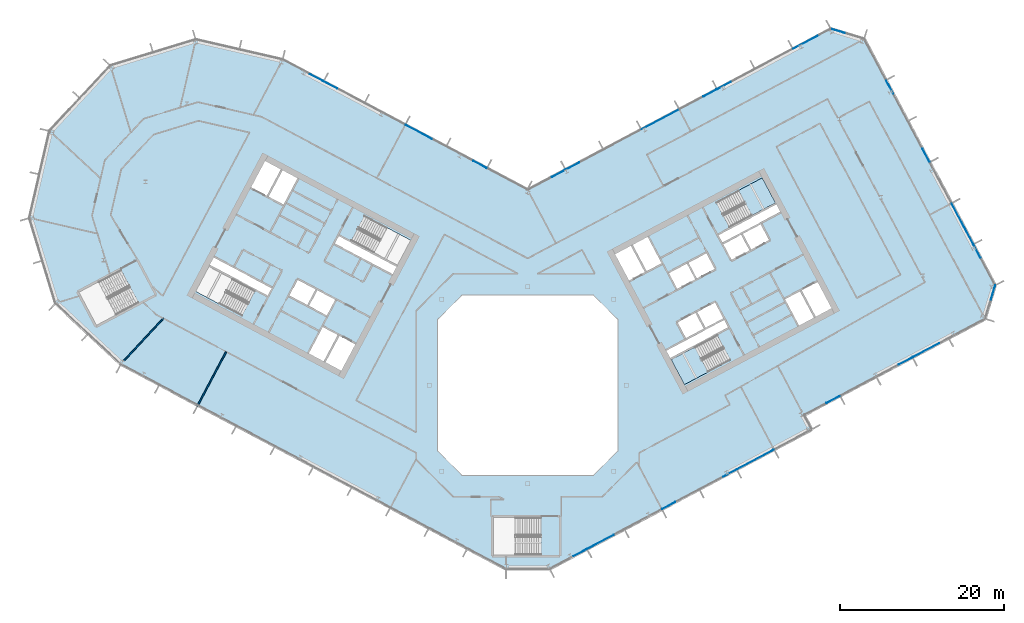
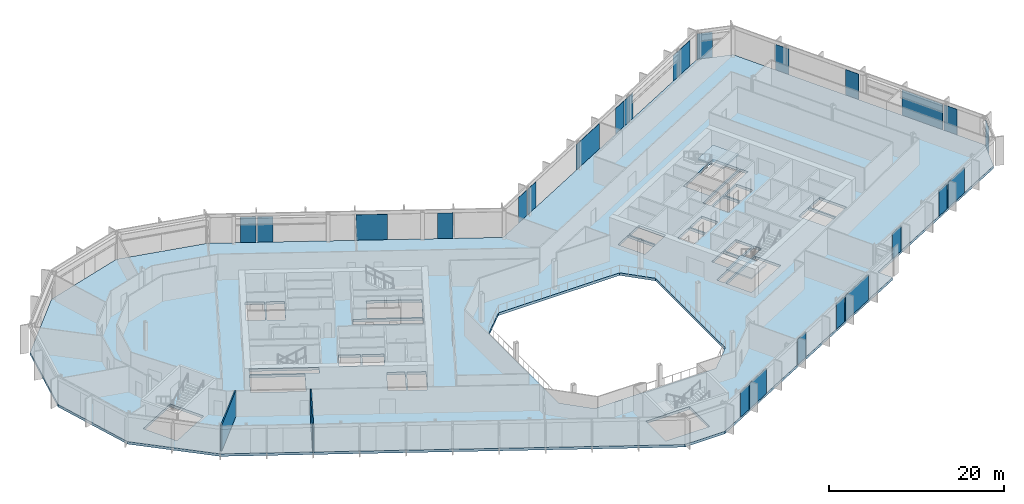
# One storey, part 12 of 28: 24 plates, 3 slabs, 2 walls, 9 elements without a shape of their own.
"""IFC4 building model written with IfcOpenShell, lengths in metres."""

from ifc_helpers import new_model, si_unit, direction, frame, frame_2d, origin, origin_2d, place, context, subcontext, project, spatial, polyline, rectangle, outline, extrude, material, layer, layer_set, type_object, element, aggregate, save


model = new_model("IFC4")

# Units and contexts
model_context = context("Model", 3, precision=1e-05, world=origin(), true_north=direction((0.0, 1.0)))
body_context = subcontext(model_context, "Body", "Model", "MODEL_VIEW")
ifc_project = project(units=[si_unit("LENGTHUNIT", "METRE"), si_unit("AREAUNIT", "SQUARE_METRE"), si_unit("VOLUMEUNIT", "CUBIC_METRE"), si_unit("PLANEANGLEUNIT", "RADIAN"), si_unit("MASSUNIT", "GRAM", prefix="KILO")], contexts=[model_context])

# Site, building, storey
site_placement = place(None, origin())
site = spatial("IfcSite", under=ifc_project, at=site_placement, CompositionType="ELEMENT")
building_placement = place(site_placement, origin())
building = spatial("IfcBuilding", under=site, at=building_placement, Name="Cormorant Relay Tower", CompositionType="ELEMENT")
storey_placement = place(building_placement, frame((0.0, 0.0, 146.199951171875)))
storey = spatial("IfcBuildingStorey", under=building, at=storey_placement, Name="L30", CompositionType="ELEMENT", Elevation=146.199951171875)

# Curtain wall, plates
ifc_material_1 = material(Name="Aluminium 6063-T6 anodised bronze", Category="aluminium")
ifc_layer_1 = layer(ifc_material_1, 0.199951171875)
ifc_layer_set_1 = layer_set([ifc_layer_1], Name="CW1 unitised bronze curtain wall with vertical fins")
curtain_wall_type = type_object("IfcCurtainWallType", Name="CW1 unitised bronze curtain wall with vertical fins", PredefinedType="NOTDEFINED", material=ifc_layer_set_1)
curtain_wall_1_placement = place(storey_placement, origin())
curtain_wall_1 = element("IfcCurtainWall", 1, at=curtain_wall_1_placement, inside=storey, type_object=curtain_wall_type, Name="CW1 curtain wall 2", PredefinedType="NOTDEFINED")
ifc_material_2 = material(Name="Tinted laminated glass", Category="glass")
ifc_layer_2 = layer(ifc_material_2, 0.0400390625)
ifc_layer_set_2 = layer_set([ifc_layer_2], Name="CW1 tinted vision panel 1800 module")
plate_type_1 = type_object("IfcPlateType", Name="CW1 tinted vision panel 1800 module", PredefinedType="CURTAIN_PANEL", material=ifc_layer_set_2)
plate_1_placement = place(storey_placement, frame((6.359130859375, -20.42529296875, 0.0), z_axis=(0.0, 0.0, 1.0), x_axis=(0.882947592859, 0.469471562786, 0.0)))
plate_1 = element("IfcPlate", 2, at=plate_1_placement, type_object=plate_type_1, Name="CW1 panel V01", PredefinedType="CURTAIN_PANEL", context=body_context, shape_type="SweptSolid", body=[
    extrude(rectangle(XDim=1.800048828125, YDim=0.0400390625, at=origin_2d()), origin(), (0.0, 0.0, 1.0), 3.550048828125),
])
plate_2_placement = place(storey_placement, frame((17.20458984375, -14.65869140625, 0.0), z_axis=(0.0, 0.0, 1.0), x_axis=(0.882947592859, 0.469471562786, 0.0)))
plate_2 = element("IfcPlate", 3, at=plate_2_placement, type_object=plate_type_1, Name="CW1 panel V04", PredefinedType="CURTAIN_PANEL", context=body_context, shape_type="SweptSolid", body=[
    extrude(rectangle(XDim=1.800048828125, YDim=0.0400390625, at=origin_2d()), origin(), (0.0, 0.0, 1.0), 3.550048828125),
])
plate_3_placement = place(storey_placement, frame((24.6064453125, -10.72314453125, 0.0), z_axis=(0.0, 0.0, 1.0), x_axis=(0.882947592859, 0.469471562786, 0.0)))
plate_3 = element("IfcPlate", 4, at=plate_3_placement, type_object=plate_type_1, Name="CW1 panel V06", PredefinedType="CURTAIN_PANEL", context=body_context, shape_type="SweptSolid", body=[
    extrude(rectangle(XDim=1.800048828125, YDim=0.0400390625, at=origin_2d()), origin(), (0.0, 0.0, 1.0), 3.550048828125),
])

curtain_wall_2_placement = place(storey_placement, origin())
curtain_wall_2 = element("IfcCurtainWall", 5, at=curtain_wall_2_placement, inside=storey, type_object=curtain_wall_type, Name="CW1 curtain wall 4", PredefinedType="NOTDEFINED")
plate_4_placement = place(storey_placement, frame((37.205810546875, -1.7587890625, 0.0), z_axis=(0.0, 0.0, 1.0), x_axis=(0.882947592859, 0.469471562786, 0.0)))
plate_4 = element("IfcPlate", 6, at=plate_4_placement, type_object=plate_type_1, Name="CW1 panel V01", PredefinedType="CURTAIN_PANEL", context=body_context, shape_type="SweptSolid", body=[
    extrude(rectangle(XDim=1.800048828125, YDim=0.0400390625, at=origin_2d()), origin(), (0.0, 0.0, 1.0), 3.550048828125),
])
plate_5_placement = place(storey_placement, frame((46.03515625, 2.935791015625, 0.0), z_axis=(0.0, 0.0, 1.0), x_axis=(0.882947592859, 0.469471562786, 0.0)))
plate_5 = element("IfcPlate", 7, at=plate_5_placement, type_object=plate_type_1, Name="CW1 panel V03", PredefinedType="CURTAIN_PANEL", context=body_context, shape_type="SweptSolid", body=[
    extrude(rectangle(XDim=1.800048828125, YDim=0.0400390625, at=origin_2d()), origin(), (0.0, 0.0, 1.0), 3.550048828125),
])

# Curtain wall, plate
curtain_wall_3_placement = place(storey_placement, origin())
curtain_wall_3 = element("IfcCurtainWall", 8, at=curtain_wall_3_placement, inside=storey, type_object=curtain_wall_type, Name="CW1 curtain wall 5", PredefinedType="NOTDEFINED")
plate_6_placement = place(storey_placement, frame((56.712646484375, 11.296630859375, 0.0), z_axis=(0.0, 0.0, 1.0), x_axis=(0.292371704723, 0.956304755963, 0.0)))
plate_6 = element("IfcPlate", 9, at=plate_6_placement, type_object=plate_type_1, Name="CW1 panel V01", PredefinedType="CURTAIN_PANEL", context=body_context, shape_type="SweptSolid", body=[
    extrude(rectangle(XDim=1.800048828125, YDim=0.0400390625, at=origin_2d()), origin(), (0.0, 0.0, 1.0), 3.550048828125),
])
aggregate(curtain_wall_3, [plate_6])

# Curtain wall, plates
curtain_wall_4_placement = place(storey_placement, origin())
curtain_wall_4 = element("IfcCurtainWall", 10, at=curtain_wall_4_placement, inside=storey, type_object=curtain_wall_type, Name="CW1 curtain wall 6", PredefinedType="NOTDEFINED")
plate_7_placement = place(storey_placement, frame((54.771728515625, 16.315185546875, 0.0), z_axis=(0.0, 0.0, 1.0), x_axis=(-0.469471562786, 0.882947592859, 0.0)))
plate_7 = element("IfcPlate", 11, at=plate_7_placement, type_object=plate_type_1, Name="CW1 panel V01", PredefinedType="CURTAIN_PANEL", context=body_context, shape_type="SweptSolid", body=[
    extrude(rectangle(XDim=1.800048828125, YDim=0.0400390625, at=origin_2d()), origin(), (0.0, 0.0, 1.0), 3.550048828125),
])
plate_8_placement = place(storey_placement, frame((48.535400390625, 28.043701171875, 0.0), z_axis=(0.0, 0.0, 1.0), x_axis=(-0.469471562786, 0.882947592859, 0.0)))
plate_8 = element("IfcPlate", 12, at=plate_8_placement, type_object=plate_type_1, Name="CW1 panel V04", PredefinedType="CURTAIN_PANEL", context=body_context, shape_type="SweptSolid", body=[
    extrude(rectangle(XDim=1.800048828125, YDim=0.0400390625, at=origin_2d()), origin(), (0.0, 0.0, 1.0), 3.550048828125),
])
plate_9_placement = place(storey_placement, frame((44.13037109375, 36.32861328125, 0.0), z_axis=(0.0, 0.0, 1.0), x_axis=(-0.469471562786, 0.882947592859, 0.0)))
plate_9 = element("IfcPlate", 13, at=plate_9_placement, type_object=plate_type_1, Name="CW1 panel V06", PredefinedType="CURTAIN_PANEL", context=body_context, shape_type="SweptSolid", body=[
    extrude(rectangle(XDim=1.800048828125, YDim=0.0400390625, at=origin_2d()), origin(), (0.0, 0.0, 1.0), 3.550048828125),
])

# Curtain wall, plate
curtain_wall_5_placement = place(storey_placement, origin())
curtain_wall_5 = element("IfcCurtainWall", 14, at=curtain_wall_5_placement, inside=storey, type_object=curtain_wall_type, Name="CW1 curtain wall 7", PredefinedType="NOTDEFINED")
plate_10_placement = place(storey_placement, frame((37.8037109375, 43.179931640625, 0.0), z_axis=(0.0, 0.0, 1.0), x_axis=(-0.956304755963, 0.292371704723, 0.0)))
plate_10 = element("IfcPlate", 15, at=plate_10_placement, type_object=plate_type_1, Name="CW1 panel V01", PredefinedType="CURTAIN_PANEL", context=body_context, shape_type="SweptSolid", body=[
    extrude(rectangle(XDim=1.800048828125, YDim=0.0400390625, at=origin_2d()), origin(), (0.0, 0.0, 1.0), 3.550048828125),
])
aggregate(curtain_wall_5, [plate_10])

# Curtain wall, plates
curtain_wall_6_placement = place(storey_placement, origin())
curtain_wall_6 = element("IfcCurtainWall", 16, at=curtain_wall_6_placement, inside=storey, type_object=curtain_wall_type, Name="CW1 curtain wall 8", PredefinedType="NOTDEFINED")
plate_11_placement = place(storey_placement, frame((23.937255859375, 36.5341796875, 0.0), z_axis=(0.0, 0.0, 1.0), x_axis=(-0.882947592859, -0.469471562786, 0.0)))
plate_11 = element("IfcPlate", 17, at=plate_11_placement, type_object=plate_type_1, Name="CW1 panel V03", PredefinedType="CURTAIN_PANEL", context=body_context, shape_type="SweptSolid", body=[
    extrude(rectangle(XDim=1.800048828125, YDim=0.0400390625, at=origin_2d()), origin(), (0.0, 0.0, 1.0), 3.550048828125),
])
plate_12_placement = place(storey_placement, frame((22.215576171875, 35.618896484375, 0.0), z_axis=(0.0, 0.0, 1.0), x_axis=(-0.882947592859, -0.469471562786, 0.0)))
plate_12 = element("IfcPlate", 18, at=plate_12_placement, type_object=plate_type_1, Name="CW1 panel V04", PredefinedType="CURTAIN_PANEL", context=body_context, shape_type="SweptSolid", body=[
    extrude(rectangle(XDim=1.800048828125, YDim=0.0400390625, at=origin_2d()), origin(), (0.0, 0.0, 1.0), 3.550048828125),
])
plate_13_placement = place(storey_placement, frame((5.468505859375, 26.71435546875, 0.0), z_axis=(0.0, 0.0, 1.0), x_axis=(-0.882947592859, -0.469471562786, 0.0)))
plate_13 = element("IfcPlate", 19, at=plate_13_placement, type_object=plate_type_1, Name="CW1 panel V08", PredefinedType="CURTAIN_PANEL", context=body_context, shape_type="SweptSolid", body=[
    extrude(rectangle(XDim=1.800048828125, YDim=0.0400390625, at=origin_2d()), origin(), (0.0, 0.0, 1.0), 3.550048828125),
])
plate_14_placement = place(storey_placement, frame((3.746826171875, 25.798828125, 0.0), z_axis=(0.0, 0.0, 1.0), x_axis=(-0.882947592859, -0.469471562786, 0.0)))
plate_14 = element("IfcPlate", 20, at=plate_14_placement, type_object=plate_type_1, Name="CW1 panel V09", PredefinedType="CURTAIN_PANEL", context=body_context, shape_type="SweptSolid", body=[
    extrude(rectangle(XDim=1.800048828125, YDim=0.0400390625, at=origin_2d()), origin(), (0.0, 0.0, 1.0), 3.550048828125),
])

curtain_wall_7_placement = place(storey_placement, origin())
curtain_wall_7 = element("IfcCurtainWall", 21, at=curtain_wall_7_placement, inside=storey, type_object=curtain_wall_type, Name="CW1 curtain wall 9", PredefinedType="NOTDEFINED")
plate_15_placement = place(storey_placement, frame((-5.830322265625, 26.90673828125, 0.0), z_axis=(0.0, 0.0, 1.0), x_axis=(-0.882947592859, 0.469471562786, 0.0)))
plate_15 = element("IfcPlate", 22, at=plate_15_placement, type_object=plate_type_1, Name="CW1 panel V01", PredefinedType="CURTAIN_PANEL", context=body_context, shape_type="SweptSolid", body=[
    extrude(rectangle(XDim=1.800048828125, YDim=0.0400390625, at=origin_2d()), origin(), (0.0, 0.0, 1.0), 3.550048828125),
])
plate_16_placement = place(storey_placement, frame((-24.0244140625, 36.580810546875, 0.0), z_axis=(0.0, 0.0, 1.0), x_axis=(-0.882947592859, 0.469471562786, 0.0)))
plate_16 = element("IfcPlate", 23, at=plate_16_placement, type_object=plate_type_1, Name="CW1 panel V05", PredefinedType="CURTAIN_PANEL", context=body_context, shape_type="SweptSolid", body=[
    extrude(rectangle(XDim=1.800048828125, YDim=0.0400390625, at=origin_2d()), origin(), (0.0, 0.0, 1.0), 3.550048828125),
])
plate_17_placement = place(storey_placement, frame((-25.746337890625, 37.49609375, 0.0), z_axis=(0.0, 0.0, 1.0), x_axis=(-0.882947592859, 0.469471562786, 0.0)))
plate_17 = element("IfcPlate", 24, at=plate_17_placement, type_object=plate_type_1, Name="CW1 panel V06", PredefinedType="CURTAIN_PANEL", context=body_context, shape_type="SweptSolid", body=[
    extrude(rectangle(XDim=1.800048828125, YDim=0.0400390625, at=origin_2d()), origin(), (0.0, 0.0, 1.0), 3.550048828125),
])

# Plate
ifc_material_3 = material(Name="Tinted laminated glass", Category="glass")
ifc_layer_3 = layer(ifc_material_3, 0.0400390625)
ifc_layer_set_3 = layer_set([ifc_layer_3], Name="CW1 tinted vision panel 3600 module")
plate_type_2 = type_object("IfcPlateType", Name="CW1 tinted vision panel 3600 module", PredefinedType="CURTAIN_PANEL", material=ifc_layer_set_3)
plate_18_placement = place(storey_placement, frame((8.87548828125, -19.08740234375, 0.0), z_axis=(0.0, 0.0, 1.0), x_axis=(0.882947592859, 0.469471562786, 0.0)))
plate_18 = element("IfcPlate", 25, at=plate_18_placement, type_object=plate_type_2, Name="CW1 panel V02", PredefinedType="CURTAIN_PANEL", context=body_context, shape_type="SweptSolid", body=[
    extrude(rectangle(XDim=3.60009765625, YDim=0.0400390625, at=origin_2d()), origin(), (0.0, 0.0, 1.0), 3.550048828125),
])

plate_19_placement = place(storey_placement, frame((48.551513671875, 4.27392578125, 0.0), z_axis=(0.0, 0.0, 1.0), x_axis=(0.882947592859, 0.469471562786, 0.0)))
plate_19 = element("IfcPlate", 26, at=plate_19_placement, type_object=plate_type_2, Name="CW1 panel V04", PredefinedType="CURTAIN_PANEL", context=body_context, shape_type="SweptSolid", body=[
    extrude(rectangle(XDim=3.60009765625, YDim=0.0400390625, at=origin_2d()), origin(), (0.0, 0.0, 1.0), 3.550048828125),
])

aggregate(curtain_wall_2, [plate_4, plate_5, plate_19])

plate_20_placement = place(storey_placement, frame((33.96630859375, 41.86669921875, 0.0), z_axis=(0.0, 0.0, 1.0), x_axis=(-0.882947592859, -0.469471562786, 0.0)))
plate_20 = element("IfcPlate", 27, at=plate_20_placement, type_object=plate_type_2, Name="CW1 panel V01", PredefinedType="CURTAIN_PANEL", context=body_context, shape_type="SweptSolid", body=[
    extrude(rectangle(XDim=3.60009765625, YDim=0.0400390625, at=origin_2d()), origin(), (0.0, 0.0, 1.0), 3.550048828125),
])

plate_21_placement = place(storey_placement, frame((-13.27197265625, 30.86328125, 0.0), z_axis=(0.0, 0.0, 1.0), x_axis=(-0.882947592859, 0.469471562786, 0.0)))
plate_21 = element("IfcPlate", 28, at=plate_21_placement, type_object=plate_type_2, Name="CW1 panel V03", PredefinedType="CURTAIN_PANEL", context=body_context, shape_type="SweptSolid", body=[
    extrude(rectangle(XDim=3.60009765625, YDim=0.0400390625, at=origin_2d()), origin(), (0.0, 0.0, 1.0), 3.550048828125),
])

aggregate(curtain_wall_7, [plate_15, plate_21, plate_16, plate_17])

ifc_material_4 = material(Name="Tinted laminated glass", Category="glass")
ifc_layer_4 = layer(ifc_material_4, 0.0400390625)
ifc_layer_set_4 = layer_set([ifc_layer_4], Name="CW1 tinted vision panel 5400 module")
plate_type_3 = type_object("IfcPlateType", Name="CW1 tinted vision panel 5400 module", PredefinedType="CURTAIN_PANEL", material=ifc_layer_set_4)
plate_22_placement = place(storey_placement, frame((27.748046875, -9.052734375, 0.0), z_axis=(0.0, 0.0, 1.0), x_axis=(0.882947592859, 0.469471562786, 0.0)))
plate_22 = element("IfcPlate", 29, at=plate_22_placement, type_object=plate_type_3, Name="CW1 panel V07", PredefinedType="CURTAIN_PANEL", context=body_context, shape_type="SweptSolid", body=[
    extrude(rectangle(XDim=5.0166015625, YDim=0.0400390625, at=origin_2d()), origin(), (0.0, 0.0, 1.0), 3.550048828125),
])

aggregate(curtain_wall_1, [plate_1, plate_18, plate_2, plate_3, plate_22])

plate_23_placement = place(storey_placement, frame((52.98388671875, 19.677734375, 0.0), z_axis=(0.0, 0.0, 1.0), x_axis=(-0.469471562786, 0.882947592859, 0.0)))
plate_23 = element("IfcPlate", 30, at=plate_23_placement, type_object=plate_type_3, Name="CW1 panel V02", PredefinedType="CURTAIN_PANEL", context=body_context, shape_type="SweptSolid", body=[
    extrude(rectangle(XDim=5.5166015625, YDim=0.0400390625, at=origin_2d()), origin(), (0.0, 0.0, 1.0), 3.550048828125),
])

aggregate(curtain_wall_4, [plate_7, plate_23, plate_8, plate_9])

plate_24_placement = place(storey_placement, frame((16.150634765625, 32.39404296875, 0.0), z_axis=(0.0, 0.0, 1.0), x_axis=(-0.882947592859, -0.469471562786, 0.0)))
plate_24 = element("IfcPlate", 31, at=plate_24_placement, type_object=plate_type_3, Name="CW1 panel V06", PredefinedType="CURTAIN_PANEL", context=body_context, shape_type="SweptSolid", body=[
    extrude(rectangle(XDim=5.079345703125, YDim=0.0400390625, at=origin_2d()), origin(), (0.0, 0.0, 1.0), 3.550048828125),
])

aggregate(curtain_wall_6, [plate_20, plate_11, plate_12, plate_24, plate_13, plate_14])

# Stair, slab
ifc_material_5 = material(Name="Concrete 40 MPa", Category="concrete")
stair_type = type_object("IfcStairType", Name="Exit stair 1500", PredefinedType="HALF_TURN_STAIR", material=ifc_material_5)
stair_1_placement = place(storey_placement, origin())
stair_1 = element("IfcStair", 32, at=stair_1_placement, inside=storey, type_object=stair_type, Name="L30 Stair", PredefinedType="HALF_TURN_STAIR")
ifc_material_6 = material(Name="Concrete 40 MPa", Category="concrete")
ifc_layer_5 = layer(ifc_material_6, 0.199951171875)
ifc_layer_set_5 = layer_set([ifc_layer_5], Name="Exit stair landing 200")
slab_type_1 = type_object("IfcSlabType", Name="Exit stair landing 200", PredefinedType="LANDING", material=ifc_layer_set_5)
slab_1_placement = place(storey_placement, frame((0.0, 0.0, 1.800048828125)))
slab_1 = element("IfcSlab", 33, at=slab_1_placement, type_object=slab_type_1, Name="B1 landing 1", PredefinedType="LANDING", context=body_context, shape_type="SweptSolid", body=[
    extrude(outline(polyline([(20.36767578125, 4.6572265625), (17.48046875, 3.1220703125), (19.10009765625, 0.075927734375), (21.9873046875, 1.611083984375), (20.36767578125, 4.6572265625)])), origin(), (0.0, 0.0, 1.0), 0.199951171875),
])
aggregate(stair_1, [slab_1])

stair_2_placement = place(storey_placement, origin())
stair_2 = element("IfcStair", 34, at=stair_2_placement, inside=storey, type_object=stair_type, Name="L30 Stair", PredefinedType="HALF_TURN_STAIR")
slab_2_placement = place(storey_placement, frame((0.0, 0.0, 1.800048828125)))
slab_2 = element("IfcSlab", 35, at=slab_2_placement, type_object=slab_type_1, Name="B2 landing 1", PredefinedType="LANDING", context=body_context, shape_type="SweptSolid", body=[
    extrude(outline(polyline([(27.3115234375, 20.6943359375), (30.19873046875, 22.2294921875), (28.5791015625, 25.275634765625), (25.69189453125, 23.740478515625), (27.3115234375, 20.6943359375)])), origin(), (0.0, 0.0, 1.0), 0.199951171875),
])
aggregate(stair_2, [slab_2])

# Slab
ifc_material_7 = material(Name="Concrete 40 MPa", Category="concrete")
ifc_layer_6 = layer(ifc_material_7, 0.360107421875)
ifc_layer_set_6 = layer_set([ifc_layer_6], Name="Flat plate 360")
slab_type_2 = type_object("IfcSlabType", Name="Flat plate 360", PredefinedType="FLOOR", material=ifc_layer_set_6)
slab_3_placement = place(storey_placement, frame((0.0, 0.0, -0.35986328125)))
element("IfcSlab", 36, at=slab_3_placement, inside=storey, type_object=slab_type_2, Name="Floor slab L30", PredefinedType="FLOOR", context=body_context, shape_type="SweptSolid", body=[
    extrude(outline(polyline([(-60.7197265625, 20.393310546875), (-58.2744140625, 30.985107421875), (-50.86083984375, 38.935302734375), (-40.465576171875, 42.11328125), (-29.873779296875, 39.668212890625), (0.0, 23.783935546875), (36.937255859375, 43.423828125), (40.99462890625, 42.18359375), (56.95654296875, 12.1630859375), (55.71630859375, 8.10595703125), (33.642578125, -3.630859375), (34.581298828125, -5.396728515625), (2.648681640625, -22.37548828125), (-2.648681640625, -22.37548828125), (-49.591552734375, 2.584228515625), (-57.541748046875, 9.997802734375), (-60.7197265625, 20.393310546875)]), holes=[polyline([(11.0, -8.0), (11.0, 8.0), (8.0, 11.0), (-8.0, 11.0), (-11.0, 8.0), (-11.0, -8.0), (-8.0, -11.0), (8.0, -11.0), (11.0, -8.0)]), polyline([(-4.199951171875, -16.125), (-4.199951171875, -20.675048828125), (1.60009765625, -20.675048828125), (1.60009765625, -16.125), (-4.199951171875, -16.125)]), polyline([(-22.95458984375, 6.03271484375), (-24.668212890625, 2.81005859375), (-22.725830078125, 1.777099609375), (-21.01220703125, 5.0), (-23.04296875, 6.07958984375), (-22.95458984375, 6.03271484375)]), polyline([(-24.985595703125, 7.112548828125), (-26.69921875, 3.889892578125), (-24.844970703125, 2.90380859375), (-23.13134765625, 6.126708984375), (-23.04296875, 6.07958984375), (-24.985595703125, 7.112548828125)]), polyline([(-24.481201171875, 8.48681640625), (-23.448486328125, 10.42919921875), (-25.656005859375, 11.602783203125), (-26.688720703125, 9.660400390625), (-24.481201171875, 8.48681640625)]), polyline([(-49.57861328125, 14.0537109375), (-54.69970703125, 11.330810546875), (-52.563720703125, 7.3134765625), (-47.442626953125, 10.036376953125), (-49.57861328125, 14.0537109375)]), polyline([(-25.83251953125, 11.69677734375), (-28.039794921875, 12.870361328125), (-29.07275390625, 10.927978515625), (-26.865234375, 9.75439453125), (-25.83251953125, 11.69677734375)]), polyline([(-38.847900390625, 14.483154296875), (-40.46728515625, 11.43701171875), (-34.860595703125, 8.455810546875), (-33.240966796875, 11.502197265625), (-38.847900390625, 14.483154296875)]), polyline([(-38.260986328125, 15.5869140625), (-38.75390625, 14.659912109375), (-31.690185546875, 10.904052734375), (-31.197265625, 11.8310546875), (-38.260986328125, 15.5869140625)]), polyline([(14.3056640625, 13.779052734375), (12.592041015625, 17.001708984375), (10.649658203125, 15.968994140625), (12.36328125, 12.74609375), (14.39404296875, 13.825927734375), (14.3056640625, 13.779052734375)]), polyline([(16.33642578125, 14.85888671875), (14.622802734375, 18.08154296875), (12.768798828125, 17.095703125), (14.482421875, 13.872802734375), (14.39404296875, 13.825927734375), (16.33642578125, 14.85888671875)]), polyline([(-16.481689453125, 13.520263671875), (-15.989013671875, 14.447509765625), (-23.052490234375, 18.203125), (-23.54541015625, 17.276123046875), (-16.481689453125, 13.520263671875)]), polyline([(-21.501708984375, 17.605224609375), (-15.89501953125, 14.6240234375), (-14.275390625, 17.670166015625), (-19.882080078125, 20.6513671875), (-21.501708984375, 17.605224609375)]), polyline([(-31.611572265625, 22.980712890625), (-29.75732421875, 21.99462890625), (-28.043701171875, 25.217529296875), (-29.89794921875, 26.203369140625), (-31.611572265625, 22.980712890625)]), polyline([(-32.01708984375, 27.330078125), (-33.73046875, 24.107421875), (-31.7880859375, 23.074462890625), (-30.074462890625, 26.29736328125), (-32.01708984375, 27.330078125)]), polyline([(17.48046875, 3.1220703125), (19.10009765625, 0.07568359375), (24.706787109375, 3.056884765625), (23.087158203125, 6.10302734375), (17.48046875, 3.1220703125)]), polyline([(16.8935546875, 4.2255859375), (17.386474609375, 3.298583984375), (24.4501953125, 7.054443359375), (23.957275390625, 7.9814453125), (16.8935546875, 4.2255859375)]), polyline([(20.446533203125, 8.8330078125), (18.239013671875, 7.6591796875), (19.27197265625, 5.716796875), (21.479248046875, 6.890380859375), (20.446533203125, 8.8330078125)]), polyline([(21.656005859375, 6.984375), (23.86328125, 8.158203125), (22.830322265625, 10.1005859375), (20.623046875, 8.927001953125), (21.656005859375, 6.984375)]), polyline([(33.197021484375, 11.478515625), (31.3427734375, 10.49267578125), (33.056396484375, 7.27001953125), (34.910400390625, 8.255859375), (33.197021484375, 11.478515625)]), polyline([(33.37353515625, 11.572509765625), (35.087158203125, 8.349609375), (37.029541015625, 9.382568359375), (35.31591796875, 12.605224609375), (33.37353515625, 11.572509765625)]), polyline([(17.19384765625, 13.67236328125), (18.2265625, 11.72998046875), (20.43408203125, 12.903564453125), (19.401123046875, 14.84619140625), (17.19384765625, 13.67236328125)]), polyline([(20.610595703125, 12.99755859375), (22.81787109375, 14.171142578125), (21.78515625, 16.113525390625), (19.57763671875, 14.93994140625), (20.610595703125, 12.99755859375)]), polyline([(26.023193359375, 18.3671875), (23.81591796875, 17.193359375), (24.8486328125, 15.2509765625), (27.05615234375, 16.424560546875), (26.023193359375, 18.3671875)]), polyline([(29.440185546875, 17.692138671875), (28.4072265625, 19.634765625), (26.19970703125, 18.4609375), (27.232666015625, 16.5185546875), (29.440185546875, 17.692138671875)]), polyline([(30.78564453125, 21.125732421875), (30.29248046875, 22.052978515625), (23.22900390625, 18.297119140625), (23.721923828125, 17.3701171875), (30.78564453125, 21.125732421875)]), polyline([(24.592041015625, 19.248291015625), (30.19873046875, 22.2294921875), (28.5791015625, 25.275634765625), (22.972412109375, 22.29443359375), (24.592041015625, 19.248291015625)])]), origin(), (0.0, 0.0, 1.0), 0.35986328125),
])

# Walls
ifc_material_8 = material(Name="Gypsum board partition")
ifc_layer_7 = layer(ifc_material_8, 0.14990234375)
ifc_layer_set_7 = layer_set([ifc_layer_7], Name="Tenant partition 150")
wall_type = type_object("IfcWallType", Name="Tenant partition 150", PredefinedType="PARTITIONING", material=ifc_layer_set_7)
wall_1_placement = place(storey_placement, frame((-44.402099609375, 8.14892578125, 0.0), z_axis=(0.0, 0.0, 1.0), x_axis=(-0.682039957921, -0.731314908777, 0.0)))
element("IfcWall", 37, at=wall_1_placement, inside=storey, type_object=wall_type, Name="wall/L30/part/011", PredefinedType="PARTITIONING", context=body_context, shape_type="SweptSolid", body=[
    extrude(rectangle(XDim=7.0654296875, YDim=0.14990234375, at=frame_2d((3.53271484375, 0.0))), origin(), (0.0, 0.0, 1.0), 3.64013671875),
])
wall_2_placement = place(storey_placement, frame((-36.751953125, 4.08203125, 0.0), z_axis=(0.0, 0.0, 1.0), x_axis=(-0.46955237308, -0.88290462052, 0.0)))
element("IfcWall", 38, at=wall_2_placement, inside=storey, type_object=wall_type, Name="wall/L30/part/012", PredefinedType="PARTITIONING", context=body_context, shape_type="SweptSolid", body=[
    extrude(rectangle(XDim=7.550048828125, YDim=0.14990234375, at=frame_2d((3.77490234375, 0.0))), origin(), (0.0, 0.0, 1.0), 3.64013671875),
])

save(model, "model.ifc")
